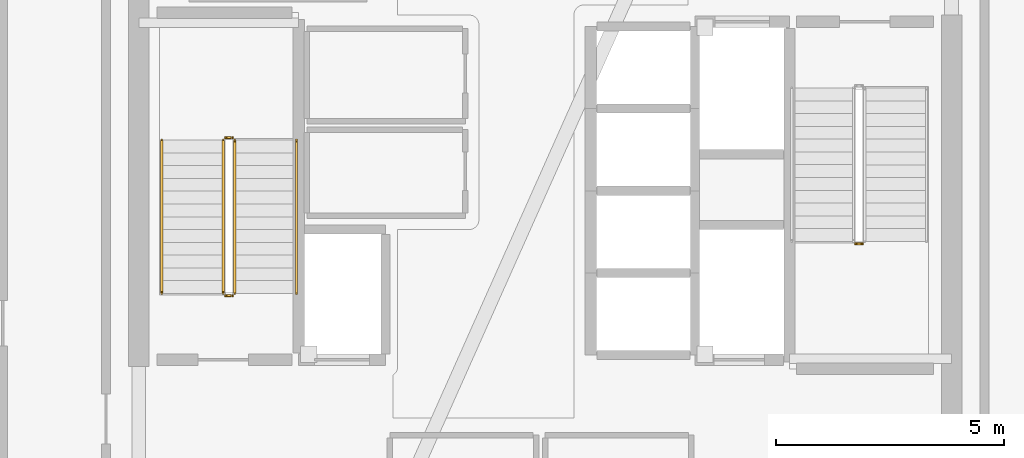
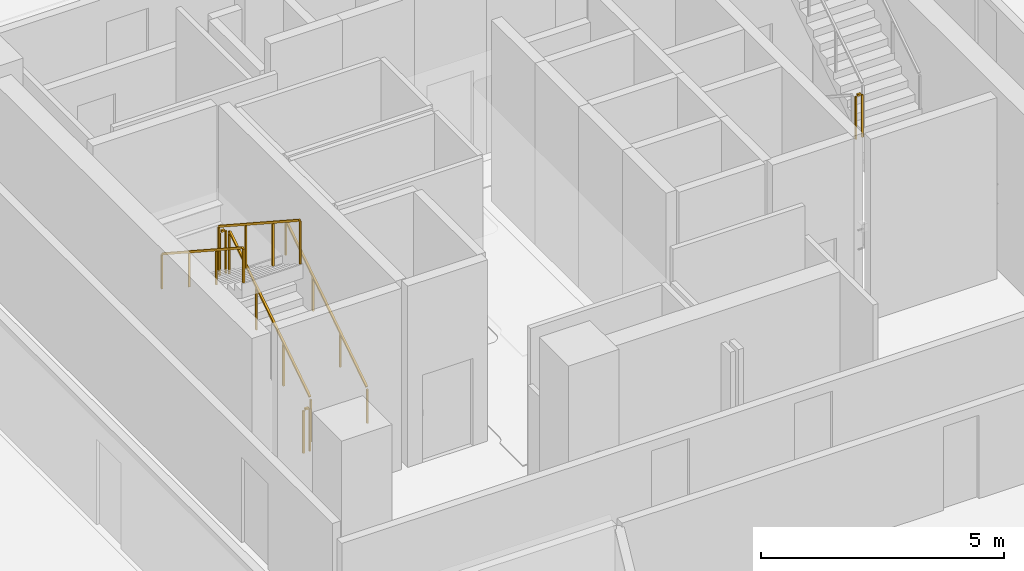
# One storey, part 15 of 18: 7 railings.
"""IFC4 building model written with IfcOpenShell, lengths in metres."""

import ifcopenshell
import ifcopenshell.guid

model = None  # the IFC model being written
_history = None  # IfcOwnerHistory: only IFC2X3 demands one
_inside = {}  # id of a spatial element -> (the spatial element, [elements in it])
_under = {}  # id of a project, library or spatial element -> (it, [spatial elements below it])
_declared = {}  # id of a project -> (the project, [libraries it declares])
_typed = {}  # id of a type object -> (the type object, [elements of that type])
_made_of = {}  # id of a material, layer set ... -> (it, [elements and type objects made of it])


def new_model(schema):
    """Start an empty IFC model of exactly this schema.

    Asked for "IFC4X3", IfcOpenShell would pick the latest addendum, in which some entities
    have other attributes; the version numbers below select the first issue.
    IFC2X3 requires an IfcOwnerHistory on every rooted entity: one is made here for all.
    """
    global model, _history
    if schema == "IFC4X3":
        model = ifcopenshell.file(schema_version=(4, 3, 0, 0))
    else:
        model = ifcopenshell.file(schema=schema)
    _inside.clear()
    _under.clear()
    _declared.clear()
    _typed.clear()
    _made_of.clear()
    _history = None
    if model.schema == "IFC2X3":
        org = make("IfcOrganization", Name="unknown")
        user = make(
            "IfcPersonAndOrganization",
            ThePerson=make("IfcPerson", FamilyName="unknown"),
            TheOrganization=org,
        )
        app = make(
            "IfcApplication",
            ApplicationDeveloper=org,
            Version="unknown",
            ApplicationFullName="unknown",
            ApplicationIdentifier="unknown",
        )
        _history = make(
            "IfcOwnerHistory",
            OwningUser=user,
            OwningApplication=app,
            ChangeAction="ADDED",
            CreationDate=0,
        )
    return model


def make(cls, **values):
    """One entity of the class cls with the attributes given. An attribute that is None is left unset."""
    return model.create_entity(
        cls, **{name: value for name, value in values.items() if value is not None}
    )


def rooted(cls, **values):
    """An entity with a GlobalId (a new one), such as an element, a storey or a relation."""
    return make(cls, GlobalId=ifcopenshell.guid.new(), OwnerHistory=_history, **values)


def si_unit(unit_type, name, prefix=None):
    """IfcSIUnit, for example si_unit("LENGTHUNIT", "METRE", prefix="MILLI")."""
    return make("IfcSIUnit", UnitType=unit_type, Prefix=prefix, Name=name)


def assignment(units):
    """IfcUnitAssignment: the units of a project."""
    return None if units is None else make("IfcUnitAssignment", Units=units)


def point(xyz):
    """IfcCartesianPoint."""
    return None if xyz is None else make("IfcCartesianPoint", Coordinates=xyz)


def direction(xyz):
    """IfcDirection."""
    return None if xyz is None else make("IfcDirection", DirectionRatios=xyz)


def frame(location, z_axis=None, x_axis=None):
    """IfcAxis2Placement3D, a coordinate frame: its origin and axes. An axis left out is left unset."""
    return make(
        "IfcAxis2Placement3D",
        Location=point(location),
        Axis=direction(z_axis),
        RefDirection=direction(x_axis),
    )


def frame_2d(location, x_axis=None):
    """IfcAxis2Placement2D, a coordinate frame in the plane: its origin and x axis."""
    return make(
        "IfcAxis2Placement2D", Location=point(location), RefDirection=direction(x_axis)
    )


def origin():
    """The frame at (0, 0, 0) with its axes left unset."""
    return frame((0.0, 0.0, 0.0))


def origin_2d():
    """The frame at (0, 0) in the plane with its x axis left unset."""
    return frame_2d((0.0, 0.0))


def place(relative_to, where):
    """IfcLocalPlacement: puts the frame where relative to a parent placement (None: the world)."""
    return make(
        "IfcLocalPlacement", PlacementRelTo=relative_to, RelativePlacement=where
    )


def context(
    kind, dimensions, precision=None, world=None, true_north=None, identifier=None
):
    """IfcGeometricRepresentationContext, for example the 3D "Model" context."""
    return make(
        "IfcGeometricRepresentationContext",
        ContextIdentifier=identifier,
        ContextType=kind,
        CoordinateSpaceDimension=dimensions,
        Precision=precision,
        WorldCoordinateSystem=world,
        TrueNorth=true_north,
    )


def subcontext(parent, identifier, kind, view, scale=None):
    """IfcGeometricRepresentationSubContext, for example "Body" below "Model"."""
    return make(
        "IfcGeometricRepresentationSubContext",
        ContextIdentifier=identifier,
        ContextType=kind,
        ParentContext=parent,
        TargetScale=scale,
        TargetView=view,
    )


def project(units=None, contexts=None):
    """IfcProject with its units and contexts."""
    return rooted(
        "IfcProject",
        Name="project",
        RepresentationContexts=contexts,
        UnitsInContext=assignment(units),
    )


def spatial(cls, under=None, at=None, **own):
    """A site, building, storey or space (cls), placed at a placement, below another one or the project."""
    s = rooted(cls, ObjectPlacement=at, **own)
    if under is not None:
        _under.setdefault(under.id(), (under, []))[1].append(s)
    return s


def profile(cls, at=None, kind="AREA", **sizes):
    """A parametric profile (cls). Its sizes go by their IFC names, for example OverallWidth=200.0."""
    return make(cls, ProfileType=kind, Position=at, **sizes)


def rectangle(**sizes):
    """IfcRectangleProfileDef."""
    return profile("IfcRectangleProfileDef", **sizes)


def extrude(swept, where, along, depth):
    """IfcExtrudedAreaSolid: the profile swept, set in the frame where, extruded along a direction by depth."""
    return make(
        "IfcExtrudedAreaSolid",
        SweptArea=swept,
        Position=where,
        ExtrudedDirection=direction(along),
        Depth=depth,
    )


def shape(context_of_items, identifier, shape_type, items):
    """IfcShapeRepresentation: the items that make up one representation, for example the "Body"."""
    return make(
        "IfcShapeRepresentation",
        ContextOfItems=context_of_items,
        RepresentationIdentifier=identifier,
        RepresentationType=shape_type,
        Items=items,
    )


def material(Name=None, Category=None):
    """IfcMaterial."""
    return make("IfcMaterial", Name=Name, Category=Category)


def made_of(thing, what):
    """Note that an element or type object is made of a material, layer set ...; save() writes the relation."""
    if what is not None:
        _made_of.setdefault(what.id(), (what, []))[1].append(thing)
    return thing


def type_object(cls, material=None, **own):
    """A type object (cls), such as IfcWallType, which elements share."""
    return made_of(rooted(cls, **own), material)


def element(
    cls,
    number,
    at=None,
    inside=None,
    cuts=None,
    type_object=None,
    material=None,
    context=None,
    identifier="Body",
    shape_type=None,
    held_by="IfcProductDefinitionShape",
    body=None,
    shapes=None,
    **own,
):
    """One element of the class cls, such as IfcWall. Its Tag is "e" and its number.

    at: its placement. inside: the storey or other place that contains it. cuts: it is an
    opening in that element (IfcRelVoidsElement). A single representation is given by context,
    identifier, shape_type and body (its items); several are given by shapes. held_by: the class
    of the entity that holds the representations. save() writes the other relations.
    """
    e = rooted(cls, Tag="e%d" % number, ObjectPlacement=at, **own)
    if body is not None:
        shapes = [shape(context, identifier, shape_type, body)]
    if shapes is not None:
        e.Representation = make(held_by, Representations=shapes)
    if inside is not None:
        _inside.setdefault(inside.id(), (inside, []))[1].append(e)
    if cuts is not None:
        rooted(
            "IfcRelVoidsElement", RelatingBuildingElement=cuts, RelatedOpeningElement=e
        )
    if type_object is not None:
        _typed.setdefault(type_object.id(), (type_object, []))[1].append(e)
    return made_of(e, material)


def aggregate(whole, parts):
    """IfcRelAggregates: a whole, such as a stair, and the parts it consists of."""
    return rooted("IfcRelAggregates", RelatingObject=whole, RelatedObjects=parts)


def save(model, path):
    """Write the relations noted so far, then the file.

    IfcRelAggregates (storeys below a building ...), IfcRelContainedInSpatialStructure (elements
    in a storey), IfcRelDefinesByType, IfcRelAssociatesMaterial and IfcRelDeclares: one each for
    every whole, place, type object, material and project.
    """
    for whole, parts in _under.values():
        aggregate(whole, parts)
    for where, things in _inside.values():
        rooted(
            "IfcRelContainedInSpatialStructure",
            RelatedElements=things,
            RelatingStructure=where,
        )
    for kind, things in _typed.values():
        rooted("IfcRelDefinesByType", RelatedObjects=things, RelatingType=kind)
    for what, things in _made_of.values():
        rooted("IfcRelAssociatesMaterial", RelatedObjects=things, RelatingMaterial=what)
    for by, libraries in _declared.values():
        rooted("IfcRelDeclares", RelatingContext=by, RelatedDefinitions=libraries)
    model.write(path)


model = new_model("IFC4")

# Units and contexts
model_context = context("Model", 3, precision=1e-05, world=origin(), true_north=direction((0.0, 1.0)))
body_context = subcontext(model_context, "Body", "Model", "MODEL_VIEW")
ifc_project = project(units=[si_unit("LENGTHUNIT", "METRE"), si_unit("AREAUNIT", "SQUARE_METRE"), si_unit("VOLUMEUNIT", "CUBIC_METRE"), si_unit("PLANEANGLEUNIT", "RADIAN"), si_unit("MASSUNIT", "GRAM", prefix="KILO")], contexts=[model_context])

# Site, building, storey
site_placement = place(None, origin())
site = spatial("IfcSite", under=ifc_project, at=site_placement, CompositionType="ELEMENT")
building_placement = place(site_placement, origin())
building = spatial("IfcBuilding", under=site, at=building_placement, Name="Tharavind Bronze Gate", CompositionType="ELEMENT")
storey_placement = place(building_placement, frame((0.0, 0.0, 134.050048828125)))
storey = spatial("IfcBuildingStorey", under=building, at=storey_placement, Name="L34", CompositionType="ELEMENT", Elevation=134.050048828125)

# Railings
ifc_material = material(Name="Brushed Bronze Alloy", Category="metal")
railing_type_1 = type_object("IfcRailingType", Name="STAIR BRONZE HANDRAIL 900", PredefinedType="HANDRAIL", material=ifc_material)
railing_1_placement = place(storey_placement, frame((-5.449951171875, -2.25, 0.1826171875)))
element("IfcRailing", 1, at=railing_1_placement, inside=storey, type_object=railing_type_1, Name="L34 ST1 stair handrail 1", PredefinedType="HANDRAIL", context=body_context, shape_type="SweptSolid", body=[
    extrude(rectangle(XDim=0.048095703125, YDim=0.048095703125, at=origin_2d()), frame((0.0, 0.02685546875, 0.893310546875), z_axis=(0.0, 0.837495574281, 0.546444107901), x_axis=(-1.0, 0.0, 0.0)), (0.0, 0.0, 1.0), 3.947998046875),
    extrude(rectangle(XDim=0.0400390625, YDim=0.0400390625, at=origin_2d()), origin(), (0.0, 0.0, 1.0), 0.847900390625),
    extrude(rectangle(XDim=0.0400390625, YDim=0.0400390625, at=origin_2d()), frame((0.0, 1.1201171875, 0.730712890625)), (0.0, 0.0, 1.0), 0.847900390625),
    extrude(rectangle(XDim=0.0400390625, YDim=0.0400390625, at=origin_2d()), frame((0.0, 2.239990234375, 1.461669921875)), (0.0, 0.0, 1.0), 0.847900390625),
    extrude(rectangle(XDim=0.0400390625, YDim=0.0400390625, at=origin_2d()), frame((0.0, 3.360107421875, 2.1923828125)), (0.0, 0.0, 1.0), 0.847900390625),
])
railing_2_placement = place(storey_placement, frame((-8.39990234375, 1.110107421875, 2.5576171875)))
element("IfcRailing", 2, at=railing_2_placement, inside=storey, type_object=railing_type_1, Name="L34 ST1 stair handrail 2", PredefinedType="HANDRAIL", context=body_context, shape_type="SweptSolid", body=[
    extrude(rectangle(XDim=0.048095703125, YDim=0.048095703125, at=origin_2d()), frame((0.0, -0.02685546875, 0.893310546875), z_axis=(0.0, -0.837495574281, 0.546444107901), x_axis=(1.0, 0.0, 0.0)), (0.0, 0.0, 1.0), 3.947998046875),
    extrude(rectangle(XDim=0.0400390625, YDim=0.0400390625, at=origin_2d()), origin(), (0.0, 0.0, 1.0), 0.847900390625),
    extrude(rectangle(XDim=0.0400390625, YDim=0.0400390625, at=origin_2d()), frame((0.0, -1.1201171875, 0.730712890625)), (0.0, 0.0, 1.0), 0.847900390625),
    extrude(rectangle(XDim=0.0400390625, YDim=0.0400390625, at=origin_2d()), frame((0.0, -2.239990234375, 1.461669921875)), (0.0, 0.0, 1.0), 0.847900390625),
    extrude(rectangle(XDim=0.0400390625, YDim=0.0400390625, at=origin_2d()), frame((0.0, -3.360107421875, 2.1923828125)), (0.0, 0.0, 1.0), 0.847900390625),
])
railing_type_2 = type_object("IfcRailingType", Name="STAIR WELL GUARD RAILING 1120", PredefinedType="GUARDRAIL", material=ifc_material)
railing_3_placement = place(storey_placement, frame((-6.800048828125, -2.25, 0.1826171875)))
element("IfcRailing", 3, at=railing_3_placement, inside=storey, type_object=railing_type_2, Name="L34 ST1 stair guard 1", PredefinedType="GUARDRAIL", context=body_context, shape_type="SweptSolid", body=[
    extrude(rectangle(XDim=0.048095703125, YDim=0.048095703125, at=origin_2d()), frame((0.0, 0.02685546875, 1.113525390625), z_axis=(0.0, 0.837495574281, 0.546444107901), x_axis=(-1.0, 0.0, 0.0)), (0.0, 0.0, 1.0), 3.947998046875),
    extrude(rectangle(XDim=0.0400390625, YDim=0.0400390625, at=origin_2d()), origin(), (0.0, 0.0, 1.0), 1.068115234375),
    extrude(rectangle(XDim=0.0400390625, YDim=0.0400390625, at=origin_2d()), frame((0.0, 1.1201171875, 0.730712890625)), (0.0, 0.0, 1.0), 1.068115234375),
    extrude(rectangle(XDim=0.0400390625, YDim=0.0400390625, at=origin_2d()), frame((0.0, 2.239990234375, 1.461669921875)), (0.0, 0.0, 1.0), 1.068115234375),
    extrude(rectangle(XDim=0.0400390625, YDim=0.0400390625, at=origin_2d()), frame((0.0, 3.360107421875, 2.1923828125)), (0.0, 0.0, 1.0), 1.068115234375),
])
railing_4_placement = place(storey_placement, frame((-6.85009765625, 1.159912109375, 2.375)))
element("IfcRailing", 4, at=railing_4_placement, inside=storey, type_object=railing_type_2, Name="L34 ST1 stair guard 2", PredefinedType="GUARDRAIL", context=body_context, shape_type="SweptSolid", body=[
    extrude(rectangle(XDim=0.048095703125, YDim=0.048095703125, at=origin_2d()), frame((-0.031982421875, 0.0, 1.09619140625), z_axis=(-1.0, 0.0, 0.0), x_axis=(0.0, -1.0, 0.0)), (0.0, 0.0, 1.0), 0.0859375),
    extrude(rectangle(XDim=0.0400390625, YDim=0.0400390625, at=origin_2d()), origin(), (0.0, 0.0, 1.0), 1.068115234375),
    extrude(rectangle(XDim=0.0400390625, YDim=0.0400390625, at=origin_2d()), frame((-0.14990234375, 0.0, 0.0)), (0.0, 0.0, 1.0), 1.068115234375),
])
railing_5_placement = place(storey_placement, frame((-7.050048828125, 1.110107421875, 2.5576171875)))
element("IfcRailing", 5, at=railing_5_placement, inside=storey, type_object=railing_type_2, Name="L34 ST1 stair guard 3", PredefinedType="GUARDRAIL", context=body_context, shape_type="SweptSolid", body=[
    extrude(rectangle(XDim=0.048095703125, YDim=0.048095703125, at=origin_2d()), frame((0.0, -0.02685546875, 1.113525390625), z_axis=(0.0, -0.837495574281, 0.546444107901), x_axis=(1.0, 0.0, 0.0)), (0.0, 0.0, 1.0), 3.947998046875),
    extrude(rectangle(XDim=0.0400390625, YDim=0.0400390625, at=origin_2d()), origin(), (0.0, 0.0, 1.0), 1.068115234375),
    extrude(rectangle(XDim=0.0400390625, YDim=0.0400390625, at=origin_2d()), frame((0.0, -1.1201171875, 0.730712890625)), (0.0, 0.0, 1.0), 1.068115234375),
    extrude(rectangle(XDim=0.0400390625, YDim=0.0400390625, at=origin_2d()), frame((0.0, -2.239990234375, 1.461669921875)), (0.0, 0.0, 1.0), 1.068115234375),
    extrude(rectangle(XDim=0.0400390625, YDim=0.0400390625, at=origin_2d()), frame((0.0, -3.360107421875, 2.1923828125)), (0.0, 0.0, 1.0), 1.068115234375),
])
railing_6_placement = place(storey_placement, frame((-6.85009765625, -2.300048828125, 0.0)))
element("IfcRailing", 6, at=railing_6_placement, inside=storey, type_object=railing_type_2, Name="L34 ST1 stair guard 4", PredefinedType="GUARDRAIL", context=body_context, shape_type="SweptSolid", body=[
    extrude(rectangle(XDim=0.048095703125, YDim=0.048095703125, at=origin_2d()), frame((-0.031982421875, 0.0, 1.09619140625), z_axis=(-1.0, 0.0, 0.0), x_axis=(0.0, -1.0, 0.0)), (0.0, 0.0, 1.0), 0.0859375),
    extrude(rectangle(XDim=0.0400390625, YDim=0.0400390625, at=origin_2d()), origin(), (0.0, 0.0, 1.0), 1.068115234375),
    extrude(rectangle(XDim=0.0400390625, YDim=0.0400390625, at=origin_2d()), frame((-0.14990234375, 0.0, 0.0)), (0.0, 0.0, 1.0), 1.068115234375),
])
railing_7_placement = place(storey_placement, frame((6.800048828125, -1.159912109375, 2.375)))
element("IfcRailing", 7, at=railing_7_placement, inside=storey, type_object=railing_type_2, Name="L34 ST2 stair guard 2", PredefinedType="GUARDRAIL", context=body_context, shape_type="SweptSolid", body=[
    extrude(rectangle(XDim=0.048095703125, YDim=0.048095703125, at=origin_2d()), frame((0.031982421875, 0.0, 1.09619140625), z_axis=(1.0, 0.0, 0.0), x_axis=(0.0, 1.0, 0.0)), (0.0, 0.0, 1.0), 0.0859375),
    extrude(rectangle(XDim=0.0400390625, YDim=0.0400390625, at=origin_2d()), origin(), (0.0, 0.0, 1.0), 1.068115234375),
    extrude(rectangle(XDim=0.0400390625, YDim=0.0400390625, at=origin_2d()), frame((0.14990234375, 0.0, 0.0)), (0.0, 0.0, 1.0), 1.068115234375),
])

save(model, "model.ifc")
